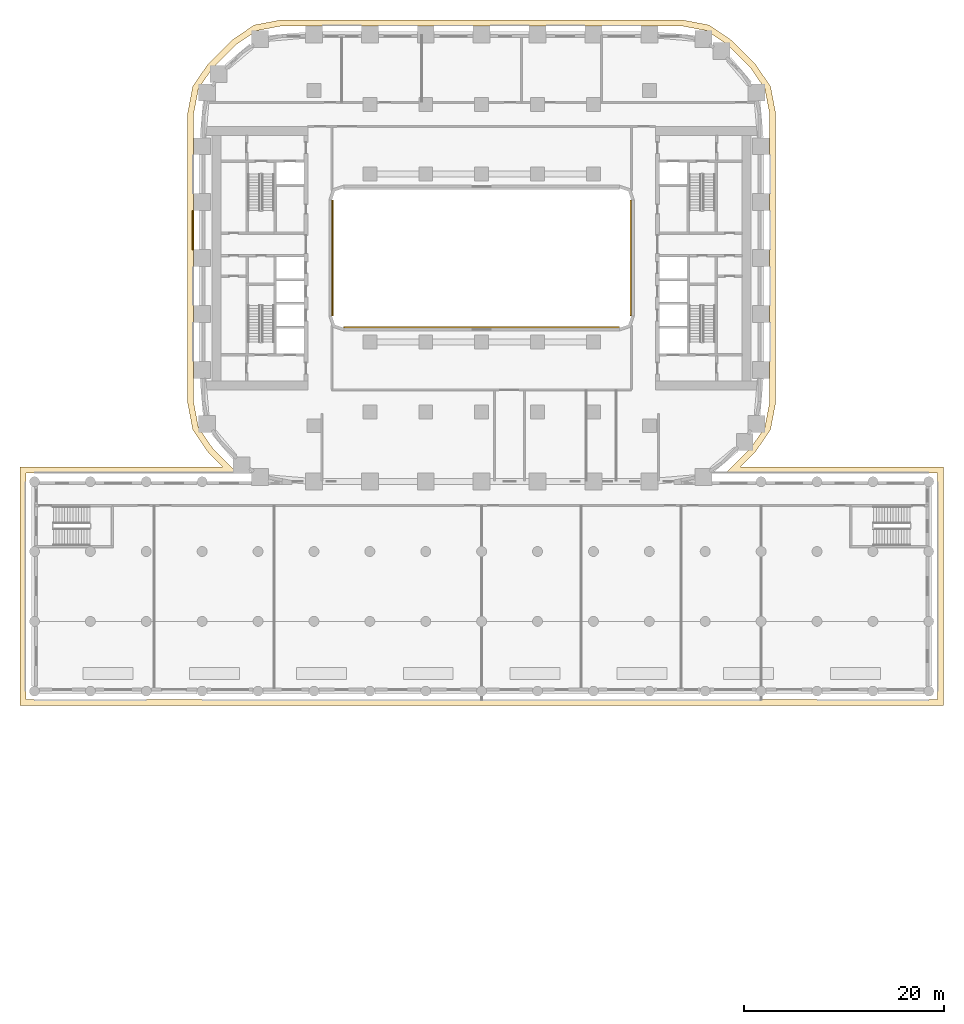
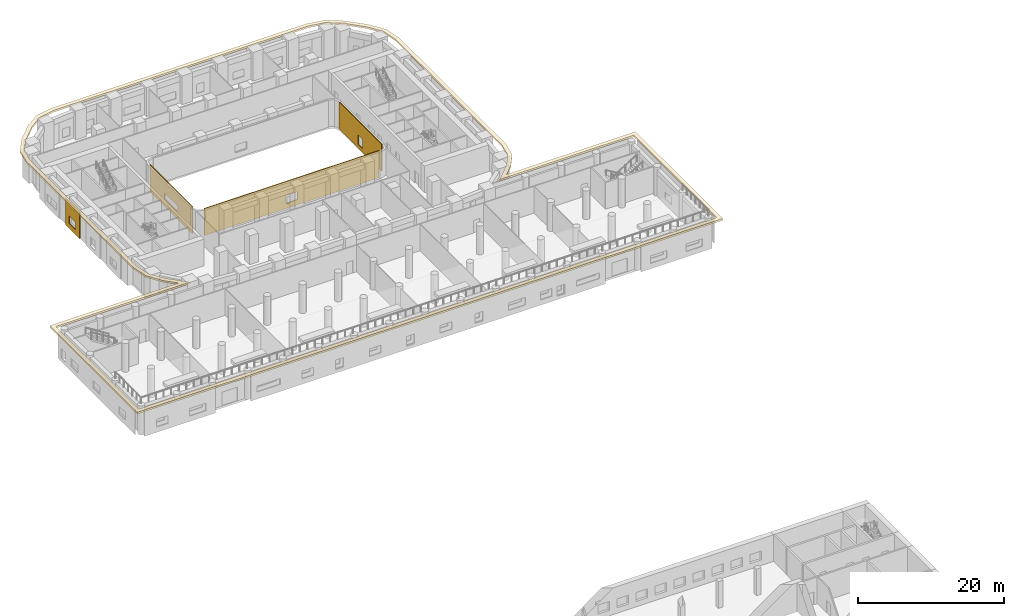
# One storey, part 19 of 23: 5 coverings.
"""IFC4 building model written with IfcOpenShell, lengths in metres."""

from ifc_helpers import new_model, si_unit, direction, frame, origin, place, context, subcontext, project, spatial, polyline, outline, extrude, material, layer, layer_set, type_object, element, save


model = new_model("IFC4")

# Units and contexts
model_context = context("Model", 3, precision=1e-05, world=origin(), true_north=direction((0.0, 1.0)))
body_context = subcontext(model_context, "Body", "Model", "MODEL_VIEW")
ifc_project = project(units=[si_unit("LENGTHUNIT", "METRE"), si_unit("AREAUNIT", "SQUARE_METRE"), si_unit("VOLUMEUNIT", "CUBIC_METRE"), si_unit("PLANEANGLEUNIT", "RADIAN"), si_unit("MASSUNIT", "GRAM", prefix="KILO")], contexts=[model_context])

# Site, building, storey
site_placement = place(None, origin())
site = spatial("IfcSite", under=ifc_project, at=site_placement, CompositionType="ELEMENT")
building_placement = place(site_placement, origin())
building = spatial("IfcBuilding", under=site, at=building_placement, Name="Kiln Ring Residences", CompositionType="ELEMENT")
storey_placement = place(building_placement, frame((0.0, 0.0, 16.10009765625)))
storey = spatial("IfcBuildingStorey", under=building, at=storey_placement, Name="L03", CompositionType="ELEMENT", Elevation=16.10009765625)

# Coverings
ifc_material_1 = material(Name="Brick masonry, dark clay brick", Category="masonry")
ifc_layer_1 = layer(ifc_material_1, 0.1201171875)
ifc_layer_set_1 = layer_set([ifc_layer_1], Name="RAINSCREEN PANEL 120")
covering_type_1 = type_object("IfcCoveringType", Name="RAINSCREEN PANEL 120", PredefinedType="CLADDING", material=ifc_layer_set_1)
covering_1_placement = place(storey_placement, frame((-28.909912109375, 4.75, 0.0), z_axis=(0.0, 0.0, 1.0), x_axis=(0.0, -1.0, 0.0)))
element("IfcCovering", 1, at=covering_1_placement, inside=storey, type_object=covering_type_1, Name="RAINSCREEN L03", PredefinedType="CLADDING", context=body_context, shape_type="SweptSolid", body=[
    extrude(outline(polyline([(0.0, 0.0), (3.89990234375, 0.0), (3.89990234375, 4.5), (0.0, 4.5), (0.0, 0.0)]), holes=[polyline([(1.050048828125, 2.14990234375), (1.050048828125, 0.89990234375), (2.85009765625, 0.89990234375), (2.85009765625, 2.14990234375), (1.050048828125, 2.14990234375)])]), frame((0.0, 0.06005859375, 0.0), z_axis=(0.0, -1.0, 0.0), x_axis=(1.0, 0.0, 0.0)), (0.0, 0.0, 1.0), 0.1201171875),
])
covering_2_placement = place(storey_placement, frame((-14.93994140625, -5.800048828125, 0.0), z_axis=(0.0, 0.0, 1.0), x_axis=(0.0, 1.0, 0.0)))
element("IfcCovering", 2, at=covering_2_placement, inside=storey, type_object=covering_type_1, Name="RAINSCREEN L03", PredefinedType="CLADDING", context=body_context, shape_type="SweptSolid", body=[
    extrude(outline(polyline([(0.0, 0.0), (11.60009765625, 0.0), (11.60009765625, 4.5), (0.0, 4.5), (0.0, 0.0)]), holes=[polyline([(4.0, 2.14990234375), (4.0, 1.199951171875), (7.60009765625, 1.199951171875), (7.60009765625, 2.14990234375), (4.0, 2.14990234375)])]), frame((0.0, 0.06005859375, 0.0), z_axis=(0.0, -1.0, 0.0), x_axis=(1.0, 0.0, 0.0)), (0.0, 0.0, 1.0), 0.1201171875),
])
covering_3_placement = place(storey_placement, frame((14.93994140625, 5.800048828125, 0.0), z_axis=(0.0, 0.0, 1.0), x_axis=(0.0, -1.0, 0.0)))
element("IfcCovering", 3, at=covering_3_placement, inside=storey, type_object=covering_type_1, Name="RAINSCREEN L03", PredefinedType="CLADDING", context=body_context, shape_type="SweptSolid", body=[
    extrude(outline(polyline([(0.0, 0.0), (11.60009765625, 0.0), (11.60009765625, 4.5), (0.0, 4.5), (0.0, 0.0)]), holes=[polyline([(5.199951171875, 2.14990234375), (5.199951171875, 0.599853515625), (6.39990234375, 0.599853515625), (6.39990234375, 2.14990234375), (5.199951171875, 2.14990234375)])]), frame((0.0, 0.06005859375, 0.0), z_axis=(0.0, -1.0, 0.0), x_axis=(1.0, 0.0, 0.0)), (0.0, 0.0, 1.0), 0.1201171875),
])
covering_4_placement = place(storey_placement, frame((13.800048828125, -6.93994140625, 0.0), z_axis=(0.0, 0.0, 1.0), x_axis=(-1.0, 0.0, 0.0)))
element("IfcCovering", 4, at=covering_4_placement, inside=storey, type_object=covering_type_1, Name="RAINSCREEN L03", PredefinedType="CLADDING", context=body_context, shape_type="SweptSolid", body=[
    extrude(outline(polyline([(0.0, 0.0), (27.60009765625, 0.0), (27.60009765625, 4.5), (0.0, 4.5), (0.0, 0.0)]), holes=[polyline([(12.8798828125, 2.169921875), (12.8798828125, 0.8798828125), (14.719970703125, 0.8798828125), (14.719970703125, 2.169921875), (12.8798828125, 2.169921875)])]), frame((0.0, 0.06005859375, 0.0), z_axis=(0.0, -1.0, 0.0), x_axis=(1.0, 0.0, 0.0)), (0.0, 0.0, 1.0), 0.1201171875),
])
ifc_material_2 = material(Name="Black powder-coated steel", Category="steel")
ifc_layer_2 = layer(ifc_material_2, 0.300048828125)
ifc_layer_set_2 = layer_set([ifc_layer_2], Name="SUNSHADE FIN 600")
covering_type_2 = type_object("IfcCoveringType", Name="SUNSHADE FIN 600", PredefinedType="CLADDING", material=ifc_layer_set_2)
covering_5_placement = place(storey_placement, frame((0.0, 0.0, 4.5)))
element("IfcCovering", 5, at=covering_5_placement, inside=storey, type_object=covering_type_2, Name="SUNSHADE FIN L03", PredefinedType="CLADDING", context=body_context, shape_type="SweptSolid", body=[
    extrude(outline(polyline([(-27.42529296875, -19.42529296875), (-25.900634765625, -20.949951171875), (-46.25, -20.949951171875), (-46.25, -44.85009765625), (46.25, -44.85009765625), (46.25, -20.949951171875), (25.900634765625, -20.949951171875), (27.42529296875, -19.42529296875), (28.94384765625, -17.19091796875), (29.449951171875, -14.537109375), (29.449951171875, 14.537109375), (28.94384765625, 17.19091796875), (27.42529296875, 19.42529296875), (25.025390625, 21.8251953125), (22.791015625, 23.34375), (20.13720703125, 23.85009765625), (-20.13720703125, 23.85009765625), (-22.791015625, 23.34375), (-25.025390625, 21.8251953125), (-27.42529296875, 19.42529296875), (-28.94384765625, 17.19091796875), (-29.449951171875, 14.537109375), (-29.449951171875, -14.537109375), (-28.94384765625, -17.19091796875), (-27.42529296875, -19.42529296875)]), holes=[polyline([(-45.64990234375, -21.550048828125), (-24.36279296875, -21.550048828125), (-24.641357421875, -21.36083984375), (-26.960693359375, -19.041259765625), (-28.377685546875, -16.956298828125), (-28.85009765625, -14.480224609375), (-28.85009765625, 14.480224609375), (-28.377685546875, 16.956298828125), (-26.960693359375, 19.041259765625), (-24.641357421875, 21.36083984375), (-22.556396484375, 22.777587890625), (-20.080322265625, 23.25), (20.080322265625, 23.25), (22.556396484375, 22.777587890625), (24.641357421875, 21.36083984375), (26.960693359375, 19.041259765625), (28.377685546875, 16.956298828125), (28.85009765625, 14.480224609375), (28.85009765625, -14.480224609375), (28.377685546875, -16.956298828125), (26.960693359375, -19.041259765625), (24.641357421875, -21.36083984375), (24.36279296875, -21.550048828125), (45.64990234375, -21.550048828125), (45.64990234375, -44.25), (-45.64990234375, -44.25), (-45.64990234375, -21.550048828125)])]), origin(), (0.0, 0.0, 1.0), 0.2998046875),
])

save(model, "model.ifc")
